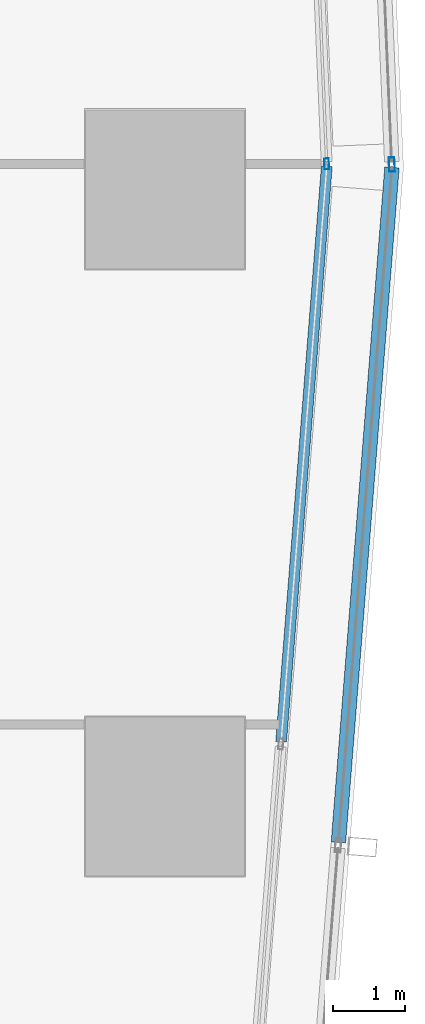
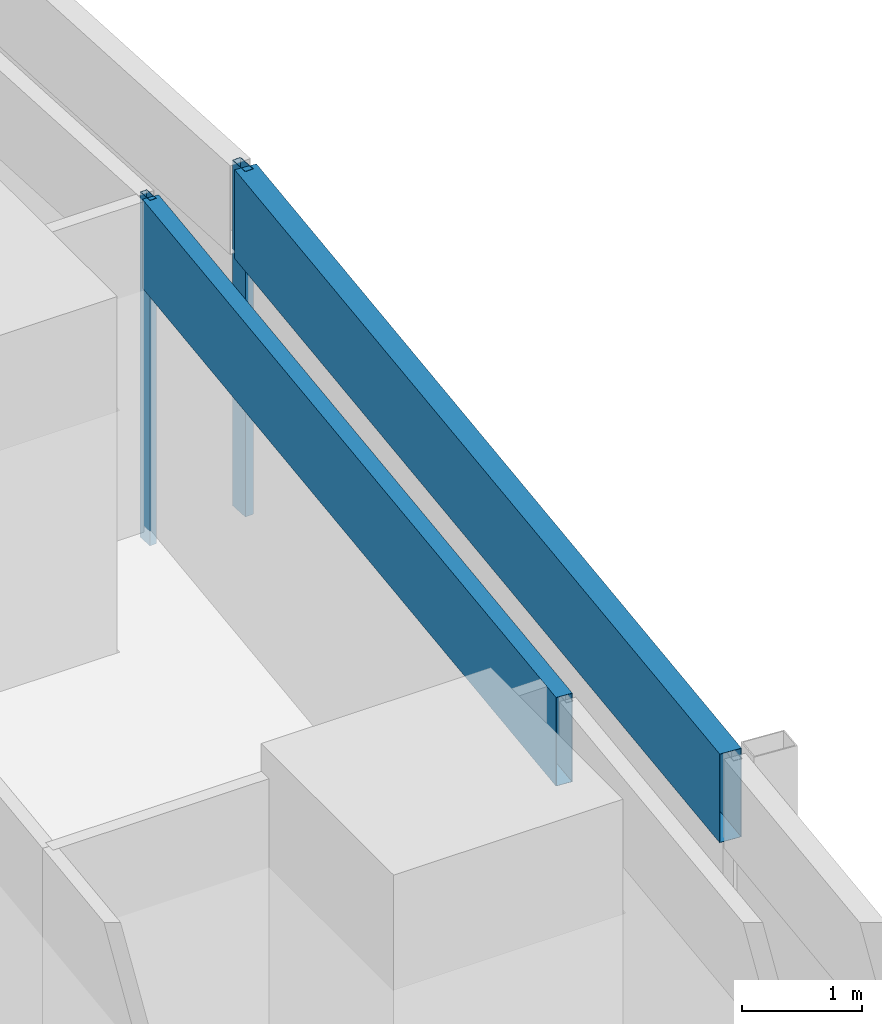
# One storey, part 24 of 42: 4 members, 4 elements without a shape of their own.
"""IFC4 building model written with IfcOpenShell, lengths in metres."""

import ifcopenshell
import ifcopenshell.guid

model = None  # the IFC model being written
_history = None  # IfcOwnerHistory: only IFC2X3 demands one
_inside = {}  # id of a spatial element -> (the spatial element, [elements in it])
_under = {}  # id of a project, library or spatial element -> (it, [spatial elements below it])
_declared = {}  # id of a project -> (the project, [libraries it declares])
_typed = {}  # id of a type object -> (the type object, [elements of that type])
_made_of = {}  # id of a material, layer set ... -> (it, [elements and type objects made of it])


def new_model(schema):
    """Start an empty IFC model of exactly this schema.

    Asked for "IFC4X3", IfcOpenShell would pick the latest addendum, in which some entities
    have other attributes; the version numbers below select the first issue.
    IFC2X3 requires an IfcOwnerHistory on every rooted entity: one is made here for all.
    """
    global model, _history
    if schema == "IFC4X3":
        model = ifcopenshell.file(schema_version=(4, 3, 0, 0))
    else:
        model = ifcopenshell.file(schema=schema)
    _inside.clear()
    _under.clear()
    _declared.clear()
    _typed.clear()
    _made_of.clear()
    _history = None
    if model.schema == "IFC2X3":
        org = make("IfcOrganization", Name="unknown")
        user = make(
            "IfcPersonAndOrganization",
            ThePerson=make("IfcPerson", FamilyName="unknown"),
            TheOrganization=org,
        )
        app = make(
            "IfcApplication",
            ApplicationDeveloper=org,
            Version="unknown",
            ApplicationFullName="unknown",
            ApplicationIdentifier="unknown",
        )
        _history = make(
            "IfcOwnerHistory",
            OwningUser=user,
            OwningApplication=app,
            ChangeAction="ADDED",
            CreationDate=0,
        )
    return model


def make(cls, **values):
    """One entity of the class cls with the attributes given. An attribute that is None is left unset."""
    return model.create_entity(
        cls, **{name: value for name, value in values.items() if value is not None}
    )


def rooted(cls, **values):
    """An entity with a GlobalId (a new one), such as an element, a storey or a relation."""
    return make(cls, GlobalId=ifcopenshell.guid.new(), OwnerHistory=_history, **values)


def si_unit(unit_type, name, prefix=None):
    """IfcSIUnit, for example si_unit("LENGTHUNIT", "METRE", prefix="MILLI")."""
    return make("IfcSIUnit", UnitType=unit_type, Prefix=prefix, Name=name)


def assignment(units):
    """IfcUnitAssignment: the units of a project."""
    return None if units is None else make("IfcUnitAssignment", Units=units)


def point(xyz):
    """IfcCartesianPoint."""
    return None if xyz is None else make("IfcCartesianPoint", Coordinates=xyz)


def direction(xyz):
    """IfcDirection."""
    return None if xyz is None else make("IfcDirection", DirectionRatios=xyz)


def frame(location, z_axis=None, x_axis=None):
    """IfcAxis2Placement3D, a coordinate frame: its origin and axes. An axis left out is left unset."""
    return make(
        "IfcAxis2Placement3D",
        Location=point(location),
        Axis=direction(z_axis),
        RefDirection=direction(x_axis),
    )


def frame_2d(location, x_axis=None):
    """IfcAxis2Placement2D, a coordinate frame in the plane: its origin and x axis."""
    return make(
        "IfcAxis2Placement2D", Location=point(location), RefDirection=direction(x_axis)
    )


def origin():
    """The frame at (0, 0, 0) with its axes left unset."""
    return frame((0.0, 0.0, 0.0))


def origin_2d():
    """The frame at (0, 0) in the plane with its x axis left unset."""
    return frame_2d((0.0, 0.0))


def place(relative_to, where):
    """IfcLocalPlacement: puts the frame where relative to a parent placement (None: the world)."""
    return make(
        "IfcLocalPlacement", PlacementRelTo=relative_to, RelativePlacement=where
    )


def context(
    kind, dimensions, precision=None, world=None, true_north=None, identifier=None
):
    """IfcGeometricRepresentationContext, for example the 3D "Model" context."""
    return make(
        "IfcGeometricRepresentationContext",
        ContextIdentifier=identifier,
        ContextType=kind,
        CoordinateSpaceDimension=dimensions,
        Precision=precision,
        WorldCoordinateSystem=world,
        TrueNorth=true_north,
    )


def subcontext(parent, identifier, kind, view, scale=None):
    """IfcGeometricRepresentationSubContext, for example "Body" below "Model"."""
    return make(
        "IfcGeometricRepresentationSubContext",
        ContextIdentifier=identifier,
        ContextType=kind,
        ParentContext=parent,
        TargetScale=scale,
        TargetView=view,
    )


def project(units=None, contexts=None):
    """IfcProject with its units and contexts."""
    return rooted(
        "IfcProject",
        Name="project",
        RepresentationContexts=contexts,
        UnitsInContext=assignment(units),
    )


def spatial(cls, under=None, at=None, **own):
    """A site, building, storey or space (cls), placed at a placement, below another one or the project."""
    s = rooted(cls, ObjectPlacement=at, **own)
    if under is not None:
        _under.setdefault(under.id(), (under, []))[1].append(s)
    return s


def profile(cls, at=None, kind="AREA", **sizes):
    """A parametric profile (cls). Its sizes go by their IFC names, for example OverallWidth=200.0."""
    return make(cls, ProfileType=kind, Position=at, **sizes)


def hollow_rectangle(**sizes):
    """IfcRectangleHollowProfileDef."""
    return profile("IfcRectangleHollowProfileDef", **sizes)


def extrude(swept, where, along, depth):
    """IfcExtrudedAreaSolid: the profile swept, set in the frame where, extruded along a direction by depth."""
    return make(
        "IfcExtrudedAreaSolid",
        SweptArea=swept,
        Position=where,
        ExtrudedDirection=direction(along),
        Depth=depth,
    )


def shape(context_of_items, identifier, shape_type, items):
    """IfcShapeRepresentation: the items that make up one representation, for example the "Body"."""
    return make(
        "IfcShapeRepresentation",
        ContextOfItems=context_of_items,
        RepresentationIdentifier=identifier,
        RepresentationType=shape_type,
        Items=items,
    )


def material(Name=None, Category=None):
    """IfcMaterial."""
    return make("IfcMaterial", Name=Name, Category=Category)


def material_profile(
    of_material, cross_section, Name=None, Category=None, Priority=None
):
    """IfcMaterialProfile: a cross section and its material."""
    return make(
        "IfcMaterialProfile",
        Name=Name,
        Material=of_material,
        Profile=cross_section,
        Priority=Priority,
        Category=Category,
    )


def profile_set(profiles, Name=None, composite=None):
    """IfcMaterialProfileSet."""
    return make(
        "IfcMaterialProfileSet",
        Name=Name,
        MaterialProfiles=profiles,
        CompositeProfile=composite,
    )


def made_of(thing, what):
    """Note that an element or type object is made of a material, layer set ...; save() writes the relation."""
    if what is not None:
        _made_of.setdefault(what.id(), (what, []))[1].append(thing)
    return thing


def type_object(cls, material=None, **own):
    """A type object (cls), such as IfcWallType, which elements share."""
    return made_of(rooted(cls, **own), material)


def element(
    cls,
    number,
    at=None,
    inside=None,
    cuts=None,
    type_object=None,
    material=None,
    context=None,
    identifier="Body",
    shape_type=None,
    held_by="IfcProductDefinitionShape",
    body=None,
    shapes=None,
    **own,
):
    """One element of the class cls, such as IfcWall. Its Tag is "e" and its number.

    at: its placement. inside: the storey or other place that contains it. cuts: it is an
    opening in that element (IfcRelVoidsElement). A single representation is given by context,
    identifier, shape_type and body (its items); several are given by shapes. held_by: the class
    of the entity that holds the representations. save() writes the other relations.
    """
    e = rooted(cls, Tag="e%d" % number, ObjectPlacement=at, **own)
    if body is not None:
        shapes = [shape(context, identifier, shape_type, body)]
    if shapes is not None:
        e.Representation = make(held_by, Representations=shapes)
    if inside is not None:
        _inside.setdefault(inside.id(), (inside, []))[1].append(e)
    if cuts is not None:
        rooted(
            "IfcRelVoidsElement", RelatingBuildingElement=cuts, RelatedOpeningElement=e
        )
    if type_object is not None:
        _typed.setdefault(type_object.id(), (type_object, []))[1].append(e)
    return made_of(e, material)


def aggregate(whole, parts):
    """IfcRelAggregates: a whole, such as a stair, and the parts it consists of."""
    return rooted("IfcRelAggregates", RelatingObject=whole, RelatedObjects=parts)


def save(model, path):
    """Write the relations noted so far, then the file.

    IfcRelAggregates (storeys below a building ...), IfcRelContainedInSpatialStructure (elements
    in a storey), IfcRelDefinesByType, IfcRelAssociatesMaterial and IfcRelDeclares: one each for
    every whole, place, type object, material and project.
    """
    for whole, parts in _under.values():
        aggregate(whole, parts)
    for where, things in _inside.values():
        rooted(
            "IfcRelContainedInSpatialStructure",
            RelatedElements=things,
            RelatingStructure=where,
        )
    for kind, things in _typed.values():
        rooted("IfcRelDefinesByType", RelatedObjects=things, RelatingType=kind)
    for what, things in _made_of.values():
        rooted("IfcRelAssociatesMaterial", RelatedObjects=things, RelatingMaterial=what)
    for by, libraries in _declared.values():
        rooted("IfcRelDeclares", RelatingContext=by, RelatedDefinitions=libraries)
    model.write(path)


model = new_model("IFC4")

# Units and contexts
model_context = context("Model", 3, precision=1e-05, world=origin(), true_north=direction((0.0, 1.0)))
body_context = subcontext(model_context, "Body", "Model", "MODEL_VIEW")
ifc_project = project(units=[si_unit("LENGTHUNIT", "METRE"), si_unit("AREAUNIT", "SQUARE_METRE"), si_unit("VOLUMEUNIT", "CUBIC_METRE"), si_unit("PLANEANGLEUNIT", "RADIAN"), si_unit("MASSUNIT", "GRAM", prefix="KILO")], contexts=[model_context])

# Site, building, storey
site_placement = place(None, origin())
site = spatial("IfcSite", under=ifc_project, at=site_placement, CompositionType="ELEMENT")
building_placement = place(site_placement, origin())
building = spatial("IfcBuilding", under=site, at=building_placement, Name="Rekha Terrace Tower", CompositionType="ELEMENT")
storey_placement = place(building_placement, frame((0.0, 0.0, 55.39990234375)))
storey = spatial("IfcBuildingStorey", under=building, at=storey_placement, Name="L13", CompositionType="ELEMENT", Elevation=55.39990234375)

# Curtain wall, member
ifc_material_1 = material(Name="Aluminium framing", Category="aluminium")
curtain_wall_type_1 = type_object("IfcCurtainWallType", Name="CW1 double skin inner glazing", PredefinedType="USERDEFINED", material=ifc_material_1)
curtain_wall_1_placement = place(storey_placement, origin())
curtain_wall_1 = element("IfcCurtainWall", 1, at=curtain_wall_1_placement, inside=storey, type_object=curtain_wall_type_1, Name="CW1 double skin inner glazing", ObjectType="DOUBLE SKIN INNER GLAZING", PredefinedType="USERDEFINED")
ifc_material_2 = material(Name="Aluminium mullion section", Category="aluminium")
ifc_material_profile_1 = material_profile(ifc_material_2, hollow_rectangle(XDim=0.06494140625, YDim=0.14990234375, WallThickness=0.00390625, at=origin_2d()), Name="AL RHS 65x150")
ifc_profile_set_1 = profile_set([ifc_material_profile_1], Name="Aluminium mullion section")
member_type_1 = type_object("IfcMemberType", Name="CW1 mullion RHS 65 x 150", PredefinedType="MULLION", material=ifc_profile_set_1)
member_1_placement = place(storey_placement, frame((69.436767578125, 25.5517578125, 0.0), z_axis=(0.0, 0.0, 1.0), x_axis=(-0.999088106904, -0.042696072921, 0.0)))
member_1 = element("IfcMember", 2, at=member_1_placement, type_object=member_type_1, Name="CW1 mullion 1", PredefinedType="MULLION", context=body_context, shape_type="SweptSolid", body=[
    extrude(hollow_rectangle(XDim=0.06494140625, YDim=0.14990234375, WallThickness=0.00390625, at=origin_2d()), origin(), (0.0, 0.0, 1.0), 3.5),
])
aggregate(curtain_wall_1, [member_1])

curtain_wall_2_placement = place(storey_placement, origin())
curtain_wall_2 = element("IfcCurtainWall", 3, at=curtain_wall_2_placement, inside=storey, type_object=curtain_wall_type_1, Name="CW1 double skin inner glazing", ObjectType="DOUBLE SKIN INNER GLAZING", PredefinedType="USERDEFINED")
ifc_material_3 = material(Name="Insulated aluminium spandrel box", Category="aluminium")
ifc_material_profile_2 = material_profile(ifc_material_3, hollow_rectangle(XDim=0.14990234375, YDim=0.89990234375, WallThickness=0.0029296875, at=origin_2d()), Name="AL SPANDREL BOX 150x900")
ifc_profile_set_2 = profile_set([ifc_material_profile_2], Name="Insulated aluminium spandrel box")
member_type_2 = type_object("IfcMemberType", Name="CW1 spandrel transom 150 x 900", PredefinedType="USERDEFINED", material=ifc_profile_set_2)
member_2_placement = place(storey_placement, frame((68.80615234375, 17.555908203125, 3.050048828125), z_axis=(0.07912449621, 0.996864742129, 0.0), x_axis=(-0.996864742129, 0.07912449621, 0.0)))
member_2 = element("IfcMember", 4, at=member_2_placement, type_object=member_type_2, Name="CW1 spandrel transom 2", ObjectType="TRANSOM", PredefinedType="USERDEFINED", context=body_context, shape_type="SweptSolid", body=[
    extrude(hollow_rectangle(XDim=0.14990234375, YDim=0.89990234375, WallThickness=0.0029296875, at=origin_2d()), origin(), (0.0, 0.0, 1.0), 7.988525390625),
])
aggregate(curtain_wall_2, [member_2])

curtain_wall_type_2 = type_object("IfcCurtainWallType", Name="CW2 double skin outer glazing", PredefinedType="USERDEFINED", material=ifc_material_1)
curtain_wall_3_placement = place(storey_placement, origin())
curtain_wall_3 = element("IfcCurtainWall", 5, at=curtain_wall_3_placement, inside=storey, type_object=curtain_wall_type_2, Name="CW2 double skin outer glazing", ObjectType="DOUBLE SKIN OUTER GLAZING", PredefinedType="USERDEFINED")
ifc_material_profile_3 = material_profile(ifc_material_2, hollow_rectangle(XDim=0.080078125, YDim=0.199951171875, WallThickness=0.00390625, at=origin_2d()), Name="AL RHS 80x200")
ifc_profile_set_3 = profile_set([ifc_material_profile_3], Name="Aluminium mullion section")
member_type_3 = type_object("IfcMemberType", Name="CW2 mullion RHS 80 x 200", PredefinedType="MULLION", material=ifc_profile_set_3)
member_3_placement = place(storey_placement, frame((70.338134765625, 25.54296875, 0.0), z_axis=(0.0, 0.0, 1.0), x_axis=(-0.999088106903, -0.042696072956, 0.0)))
member_3 = element("IfcMember", 6, at=member_3_placement, type_object=member_type_3, Name="CW2 mullion 1", PredefinedType="MULLION", context=body_context, shape_type="SweptSolid", body=[
    extrude(hollow_rectangle(XDim=0.080078125, YDim=0.199951171875, WallThickness=0.00390625, at=origin_2d()), origin(), (0.0, 0.0, 1.0), 3.5),
])
aggregate(curtain_wall_3, [member_3])

curtain_wall_4_placement = place(storey_placement, origin())
curtain_wall_4 = element("IfcCurtainWall", 7, at=curtain_wall_4_placement, inside=storey, type_object=curtain_wall_type_2, Name="CW2 double skin outer glazing", ObjectType="DOUBLE SKIN OUTER GLAZING", PredefinedType="USERDEFINED")
ifc_material_profile_4 = material_profile(ifc_material_3, hollow_rectangle(XDim=0.199951171875, YDim=0.89990234375, WallThickness=0.0029296875, at=origin_2d()), Name="AL SPANDREL BOX 200x900")
ifc_profile_set_4 = profile_set([ifc_material_profile_4], Name="Insulated aluminium spandrel box")
member_type_4 = type_object("IfcMemberType", Name="CW2 spandrel transom 200 x 900", PredefinedType="USERDEFINED", material=ifc_profile_set_4)
member_4_placement = place(storey_placement, frame((69.5986328125, 16.16552734375, 3.050048828125), z_axis=(0.079131924046, 0.996864152529, 0.0), x_axis=(-0.996864152529, 0.079131924046, 0.0)))
member_4 = element("IfcMember", 8, at=member_4_placement, type_object=member_type_4, Name="CW2 spandrel transom 2", ObjectType="TRANSOM", PredefinedType="USERDEFINED", context=body_context, shape_type="SweptSolid", body=[
    extrude(hollow_rectangle(XDim=0.199951171875, YDim=0.89990234375, WallThickness=0.0029296875, at=origin_2d()), origin(), (0.0, 0.0, 1.0), 9.36669921875),
])
aggregate(curtain_wall_4, [member_4])

save(model, "model.ifc")
